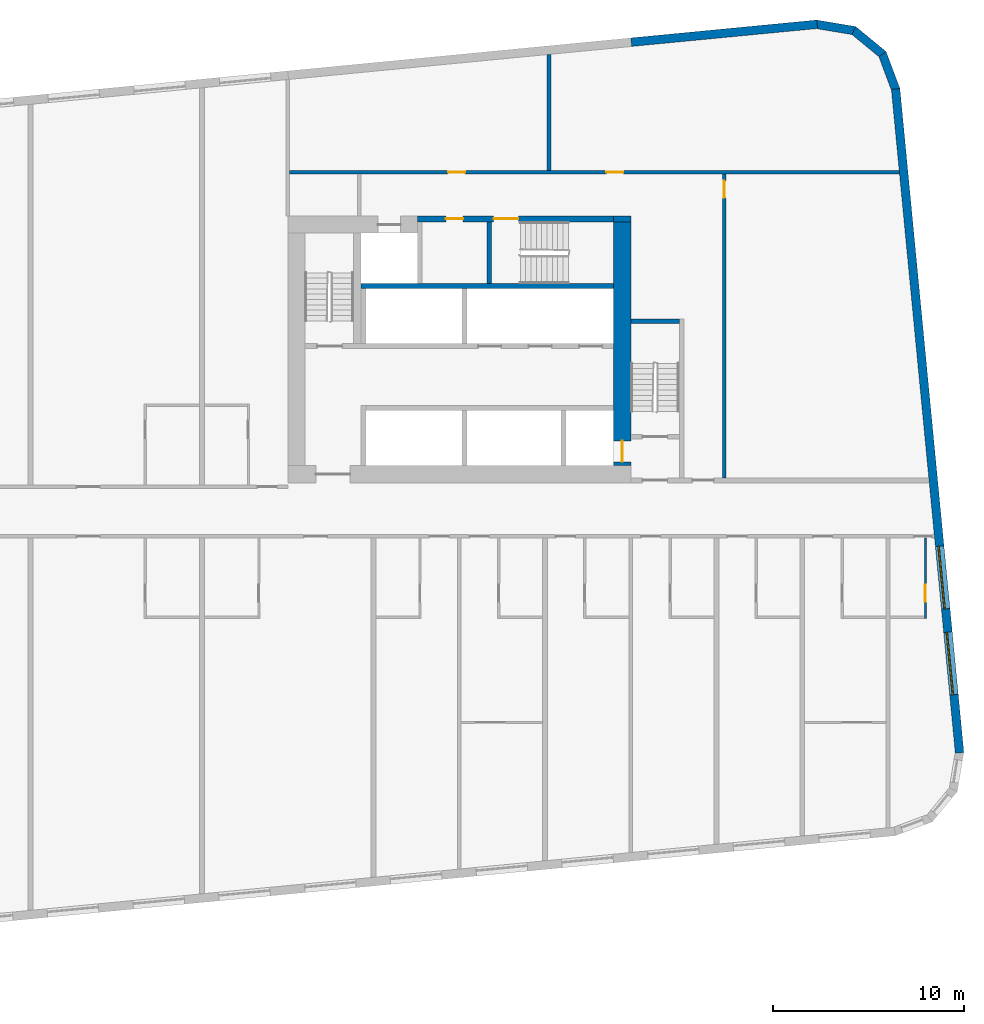
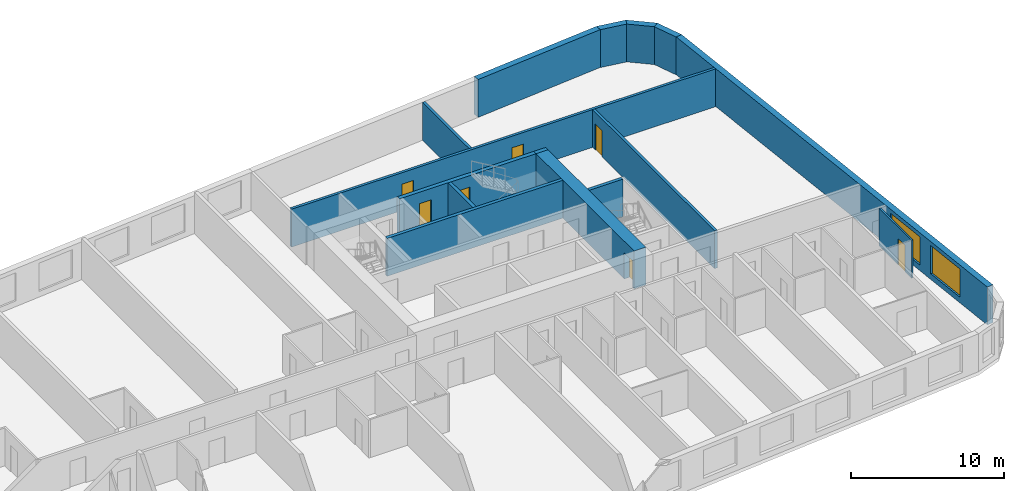
# One storey, part 8 of 12: 15 walls, 7 doors, 2 windows, 9 openings.
"""IFC4 building model written with IfcOpenShell, lengths in metres."""

from ifc_helpers import new_model, si_unit, direction, frame, frame_2d, origin, place, context, subcontext, project, spatial, polyline, rectangle, outline, extrude, material, layer, layer_set, type_object, element, fill, save


model = new_model("IFC4")

# Units and contexts
model_context = context("Model", 3, precision=1e-05, world=origin(), true_north=direction((0.0, 1.0)))
body_context = subcontext(model_context, "Body", "Model", "MODEL_VIEW")
ifc_project = project(units=[si_unit("LENGTHUNIT", "METRE"), si_unit("AREAUNIT", "SQUARE_METRE"), si_unit("VOLUMEUNIT", "CUBIC_METRE"), si_unit("PLANEANGLEUNIT", "RADIAN"), si_unit("MASSUNIT", "GRAM", prefix="KILO")], contexts=[model_context])

# Site, building, storey
site_placement = place(None, origin())
site = spatial("IfcSite", under=ifc_project, at=site_placement, CompositionType="ELEMENT")
building_placement = place(site_placement, origin())
building = spatial("IfcBuilding", under=site, at=building_placement, Name="Kajstack Hotel Tower", CompositionType="ELEMENT")
storey_placement = place(building_placement, frame((0.0, 0.0, 127.300048828125)))
storey = spatial("IfcBuildingStorey", under=building, at=storey_placement, Name="L28", CompositionType="ELEMENT", Elevation=127.300048828125)

# Wall
ifc_material_1 = material(Name="Concrete C60/75", Category="concrete")
ifc_layer_1 = layer(ifc_material_1, 0.89990234375)
ifc_layer_set_1 = layer_set([ifc_layer_1], Name="Core wall 900")
wall_type_1 = type_object("IfcWallType", Name="Core wall 900", PredefinedType="SHEAR", material=ifc_layer_set_1)
wall_1_placement = place(storey_placement, frame((30.60009765625, 15.35009765625, 0.0), z_axis=(0.0, 0.0, 1.0), x_axis=(1.0, 0.0, 0.0)))
element("IfcWall", 1, at=wall_1_placement, inside=storey, type_object=wall_type_1, Name="Core wall E RSW", PredefinedType="SHEAR", context=body_context, shape_type="SweptSolid", body=[
    extrude(rectangle(XDim=0.89990234375, YDim=0.300048828125, at=frame_2d((0.449951171875, 0.0))), origin(), (0.0, 0.0, 1.0), 3.02001953125),
])

# Wall, opening, door
wall_2_placement = place(storey_placement, frame((31.050048828125, 2.39990234375, 0.0), z_axis=(0.0, 0.0, 1.0), x_axis=(0.0, 1.0, 0.0)))
wall_2 = element("IfcWall", 2, at=wall_2_placement, inside=storey, type_object=wall_type_1, Name="Core wall E RW", PredefinedType="SHEAR", context=body_context, shape_type="SweptSolid", body=[
    extrude(rectangle(XDim=12.800048828125, YDim=0.89990234375, at=frame_2d((6.39990234375, 0.0))), origin(), (0.0, 0.0, 1.0), 3.02001953125),
])
opening_1_placement = place(wall_2_placement, frame((0.199951171875, 0.0, 0.0)))
opening_1 = element("IfcOpeningElement", 3, at=opening_1_placement, cuts=wall_2, Name="Opening LD-FF2", PredefinedType="OPENING", context=body_context, shape_type="SweptSolid", body=[
    extrude(rectangle(XDim=1.10009765625, YDim=2.10009765625, at=frame_2d((0.550048828125, 1.050048828125))), frame((0.0, 0.4599609375, 0.0), z_axis=(0.0, -1.0, 0.0), x_axis=(1.0, 0.0, 0.0)), (0.0, 0.0, 1.0), 0.919921875),
])
ifc_material_2 = material(Name="Stainless steel", Category="steel")
door_type_1 = type_object("IfcDoorType", Name="Fire-fighting lift landing door 1100", OperationType="SLIDING_TO_LEFT", PredefinedType="DOOR", material=ifc_material_2)
door_1_placement = place(opening_1_placement, origin())
door_1 = element("IfcDoor", 4, at=door_1_placement, inside=storey, type_object=door_type_1, Name="Landing door FF2", OperationType="SLIDING_TO_LEFT", OverallHeight=2.10009765625, OverallWidth=1.10009765625, PredefinedType="DOOR", context=body_context, shape_type="SweptSolid", body=[
    extrude(rectangle(XDim=1.10009765625, YDim=2.10009765625, at=frame_2d((0.550048828125, 1.050048828125))), frame((0.0, 0.02490234375, 0.0), z_axis=(0.0, -1.0, 0.0), x_axis=(1.0, 0.0, 0.0)), (0.0, 0.0, 1.0), 0.050048828125),
])
fill(opening_1, door_1)

# Wall, openings, windows
ifc_material_3 = material(Name="Terracotta-faced brick masonry", Category="masonry")
ifc_layer_2 = layer(ifc_material_3, 0.449951171875)
ifc_layer_set_2 = layer_set([ifc_layer_2], Name="EW-TERRA")
wall_type_2 = type_object("IfcWallType", Name="EW-TERRA", PredefinedType="SOLIDWALL", material=ifc_layer_set_2)
wall_3_placement = place(storey_placement, frame((48.7529296875, -12.671630859375, 0.0), z_axis=(0.0, 0.0, 1.0), x_axis=(-0.095842661909, 0.995396495954, 0.0)))
wall_3 = element("IfcWall", 5, at=wall_3_placement, inside=storey, type_object=wall_type_2, Name="E-wall-L28-08-00", PredefinedType="SOLIDWALL", context=body_context, shape_type="SweptSolid", body=[
    extrude(rectangle(XDim=35.0, YDim=0.449951171875, at=frame_2d((17.5, 0.0))), origin(), (0.0, 0.0, 1.0), 3.02001953125),
])
opening_2_placement = place(wall_3_placement, frame((3.07177734375, 0.0, 0.449951171875)))
opening_2 = element("IfcOpeningElement", 6, at=opening_2_placement, cuts=wall_3, Name="Opening W2", PredefinedType="OPENING", context=body_context, shape_type="SweptSolid", body=[
    extrude(rectangle(XDim=3.300048828125, YDim=2.25, at=frame_2d((1.64990234375, 1.125))), frame((0.0, 0.23486328125, 0.0), z_axis=(0.0, -1.0, 0.0), x_axis=(1.0, 0.0, 0.0)), (0.0, 0.0, 1.0), 0.469970703125),
])
opening_3_placement = place(wall_3_placement, frame((7.592529296875, 0.0, 0.449951171875)))
opening_3 = element("IfcOpeningElement", 7, at=opening_3_placement, cuts=wall_3, Name="Opening W2", PredefinedType="OPENING", context=body_context, shape_type="SweptSolid", body=[
    extrude(rectangle(XDim=3.300048828125, YDim=2.25, at=frame_2d((1.64990234375, 1.125))), frame((0.0, 0.23486328125, 0.0), z_axis=(0.0, -1.0, 0.0), x_axis=(1.0, 0.0, 0.0)), (0.0, 0.0, 1.0), 0.469970703125),
])
ifc_material_4 = material(Name="Timber-aluminium window, triple glazed", Category="wood")
window_type = type_object("IfcWindowType", Name="WG2", PartitioningType="SINGLE_PANEL", PredefinedType="WINDOW", material=ifc_material_4)
window_1_placement = place(opening_2_placement, origin())
window_1 = element("IfcWindow", 8, at=window_1_placement, inside=storey, type_object=window_type, Name="Window W2 L28-08", OverallHeight=2.25, OverallWidth=3.300048828125, PartitioningType="SINGLE_PANEL", PredefinedType="WINDOW", context=body_context, shape_type="SweptSolid", body=[
    extrude(rectangle(XDim=3.300048828125, YDim=2.25, at=frame_2d((1.64990234375, 1.125))), frame((0.0, 0.090087890625, 0.0), z_axis=(0.0, -1.0, 0.0), x_axis=(1.0, 0.0, 0.0)), (0.0, 0.0, 1.0), 0.06005859375),
])
fill(opening_2, window_1)
window_2_placement = place(opening_3_placement, origin())
window_2 = element("IfcWindow", 9, at=window_2_placement, inside=storey, type_object=window_type, Name="Window W2 L28-08", OverallHeight=2.25, OverallWidth=3.300048828125, PartitioningType="SINGLE_PANEL", PredefinedType="WINDOW", context=body_context, shape_type="SweptSolid", body=[
    extrude(rectangle(XDim=3.300048828125, YDim=2.25, at=frame_2d((1.64990234375, 1.125))), frame((0.0, 0.090087890625, 0.0), z_axis=(0.0, -1.0, 0.0), x_axis=(1.0, 0.0, 0.0)), (0.0, 0.0, 1.0), 0.06005859375),
])
fill(opening_3, window_2)

# Walls
wall_4_placement = place(storey_placement, frame((45.41162109375, 22.10986328125, 0.0), z_axis=(0.0, 0.0, 1.0), x_axis=(-0.350192909346, 0.936677599948, 0.0)))
element("IfcWall", 10, at=wall_4_placement, inside=storey, type_object=wall_type_2, Name="E-wall-L28-09-00", PredefinedType="SOLIDWALL", context=body_context, shape_type="SweptSolid", body=[
    extrude(outline(polyline([(0.0, -0.22509765625), (2.070556640625, -0.22509765625), (1.949951171875, 0.224853515625), (0.12060546875, 0.224853515625), (0.0, -0.22509765625)])), origin(), (0.0, 0.0, 1.0), 3.02001953125),
])
wall_5_placement = place(storey_placement, frame((44.754150390625, 23.95458984375, 0.0), z_axis=(0.0, 0.0, 1.0), x_axis=(-0.771651049663, 0.636046112757, 0.0)))
element("IfcWall", 11, at=wall_5_placement, inside=storey, type_object=wall_type_2, Name="E-wall-L28-10-00", PredefinedType="SOLIDWALL", context=body_context, shape_type="SweptSolid", body=[
    extrude(outline(polyline([(0.0, -0.22509765625), (2.070556640625, -0.22509765625), (1.949951171875, 0.224853515625), (0.12060546875, 0.22509765625), (0.0, -0.22509765625)])), origin(), (0.0, 0.0, 1.0), 3.02001953125),
])
wall_6_placement = place(storey_placement, frame((43.262451171875, 25.223388671875, 0.0), z_axis=(0.0, 0.0, 1.0), x_axis=(-0.986298144721, 0.164972633245, 0.0)))
element("IfcWall", 12, at=wall_6_placement, inside=storey, type_object=wall_type_2, Name="E-wall-L28-11-00", PredefinedType="SOLIDWALL", context=body_context, shape_type="SweptSolid", body=[
    extrude(outline(polyline([(0.0, -0.224853515625), (2.070556640625, -0.22509765625), (1.949951171875, 0.22509765625), (0.12060546875, 0.22509765625), (0.0, -0.224853515625)])), origin(), (0.0, 0.0, 1.0), 3.02001953125),
])
wall_7_placement = place(storey_placement, frame((41.279052734375, 25.56298828125, 0.0), z_axis=(0.0, 0.0, 1.0), x_axis=(-0.995394735506, -0.095860943703, 0.0)))
element("IfcWall", 13, at=wall_7_placement, inside=storey, type_object=wall_type_2, Name="E-wall-L28-12-00", PredefinedType="SOLIDWALL", context=body_context, shape_type="SweptSolid", body=[
    extrude(rectangle(XDim=9.802734375, YDim=0.449951171875, at=frame_2d((4.9013671875, 0.0))), origin(), (0.0, 0.0, 1.0), 3.02001953125),
])

# Wall, opening, door
ifc_material_5 = material(Name="Gypsum board and tiled backer on steel studs", Category="steel")
ifc_layer_3 = layer(ifc_material_5, 0.125)
ifc_layer_set_3 = layer_set([ifc_layer_3], Name="En-suite wall 125")
wall_type_3 = type_object("IfcWallType", Name="En-suite wall 125", PredefinedType="PARTITIONING", material=ifc_layer_set_3)
wall_8_placement = place(storey_placement, frame((46.9619140625, -5.625, 0.0), z_axis=(0.0, 0.0, 1.0), x_axis=(0.0, 1.0, 0.0)))
wall_8 = element("IfcWall", 14, at=wall_8_placement, inside=storey, type_object=wall_type_3, Name="G-wall-L28-052", PredefinedType="PARTITIONING", context=body_context, shape_type="SweptSolid", body=[
    extrude(rectangle(XDim=4.22509765625, YDim=0.125, at=frame_2d((2.112548828125, 0.0))), origin(), (0.0, 0.0, 1.0), 3.02001953125),
])
opening_4_placement = place(wall_8_placement, frame((0.875, 0.0, 0.0)))
opening_4 = element("IfcOpeningElement", 15, at=opening_4_placement, cuts=wall_8, Name="Opening 28044", PredefinedType="OPENING", context=body_context, shape_type="SweptSolid", body=[
    extrude(rectangle(XDim=0.89990234375, YDim=2.10009765625, at=frame_2d((0.449951171875, 1.050048828125))), frame((0.0, 0.072509765625, 0.0), z_axis=(0.0, -1.0, 0.0), x_axis=(1.0, 0.0, 0.0)), (0.0, 0.0, 1.0), 0.14501953125),
])
ifc_material_6 = material(Name="Painted timber door leaf", Category="wood")
door_type_2 = type_object("IfcDoorType", Name="Room door 900", OperationType="SINGLE_SWING_LEFT", PredefinedType="DOOR", material=ifc_material_6)
door_2_placement = place(opening_4_placement, origin())
door_2 = element("IfcDoor", 16, at=door_2_placement, inside=storey, type_object=door_type_2, Name="G-door-L28-44", OperationType="SINGLE_SWING_LEFT", OverallHeight=2.10009765625, OverallWidth=0.89990234375, PredefinedType="DOOR", context=body_context, shape_type="SweptSolid", body=[
    extrude(rectangle(XDim=0.89990234375, YDim=2.10009765625, at=frame_2d((0.449951171875, 1.050048828125))), frame((0.0, 0.02490234375, 0.0), z_axis=(0.0, -1.0, 0.0), x_axis=(1.0, 0.0, 0.0)), (0.0, 0.0, 1.0), 0.050048828125),
])
fill(opening_4, door_2)

ifc_material_7 = material(Name="Gypsum board on steel studs, mineral wool", Category="steel")
ifc_layer_4 = layer(ifc_material_7, 0.199951171875)
ifc_layer_set_4 = layer_set([ifc_layer_4], Name="Service partition 200")
wall_type_4 = type_object("IfcWallType", Name="Service partition 200", PredefinedType="PARTITIONING", material=ifc_layer_set_4)
wall_9_placement = place(storey_placement, frame((36.39990234375, 1.75, 0.0), z_axis=(0.0, 0.0, 1.0), x_axis=(0.0, 1.0, 0.0)))
wall_9 = element("IfcWall", 17, at=wall_9_placement, inside=storey, type_object=wall_type_4, Name="Partition E WRE", PredefinedType="PARTITIONING", context=body_context, shape_type="SweptSolid", body=[
    extrude(rectangle(XDim=15.949951171875, YDim=0.199951171875, at=frame_2d((7.97509765625, 0.0))), origin(), (0.0, 0.0, 1.0), 3.02001953125),
])
opening_5_placement = place(wall_9_placement, frame((14.699951171875, 0.0, 0.0)))
opening_5 = element("IfcOpeningElement", 18, at=opening_5_placement, cuts=wall_9, Name="Opening 28E15", PredefinedType="OPENING", context=body_context, shape_type="SweptSolid", body=[
    extrude(rectangle(XDim=0.89990234375, YDim=2.10009765625, at=frame_2d((0.449951171875, 1.050048828125))), frame((0.0, 0.10986328125, 0.0), z_axis=(0.0, -1.0, 0.0), x_axis=(1.0, 0.0, 0.0)), (0.0, 0.0, 1.0), 0.219970703125),
])
ifc_material_8 = material(Name="Timber leaf, fire-rated", Category="wood")
door_type_3 = type_object("IfcDoorType", Name="Service door 900", OperationType="SINGLE_SWING_LEFT", PredefinedType="DOOR", material=ifc_material_8)
door_3_placement = place(opening_5_placement, origin())
door_3 = element("IfcDoor", 19, at=door_3_placement, inside=storey, type_object=door_type_3, Name="Door 28E15", OperationType="SINGLE_SWING_RIGHT", OverallHeight=2.10009765625, OverallWidth=0.89990234375, PredefinedType="DOOR", context=body_context, shape_type="SweptSolid", body=[
    extrude(rectangle(XDim=0.89990234375, YDim=2.10009765625, at=frame_2d((0.449951171875, 1.050048828125))), frame((0.0, 0.02490234375, 0.0), z_axis=(0.0, -1.0, 0.0), x_axis=(1.0, 0.0, 0.0)), (0.0, 0.0, 1.0), 0.050048828125),
])
fill(opening_5, door_3)

# Wall, openings, doors
wall_10_placement = place(storey_placement, frame((13.60009765625, 17.800048828125, 0.0), z_axis=(0.0, 0.0, 1.0), x_axis=(1.0, 0.0, 0.0)))
wall_10 = element("IfcWall", 20, at=wall_10_placement, inside=storey, type_object=wall_type_4, Name="Partition E SLN", PredefinedType="PARTITIONING", context=body_context, shape_type="SweptSolid", body=[
    extrude(rectangle(XDim=31.992919921875, YDim=0.199951171875, at=frame_2d((15.99658203125, 0.0))), origin(), (0.0, 0.0, 1.0), 3.02001953125),
])
opening_6_placement = place(wall_10_placement, frame((16.612548828125, 0.0, 0.0)))
opening_6 = element("IfcOpeningElement", 21, at=opening_6_placement, cuts=wall_10, Name="Opening 28E13", PredefinedType="OPENING", context=body_context, shape_type="SweptSolid", body=[
    extrude(rectangle(XDim=0.89990234375, YDim=2.10009765625, at=frame_2d((0.449951171875, 1.050048828125))), frame((0.0, 0.10986328125, 0.0), z_axis=(0.0, -1.0, 0.0), x_axis=(1.0, 0.0, 0.0)), (0.0, 0.0, 1.0), 0.219970703125),
])
opening_7_placement = place(wall_10_placement, frame((8.3125, 0.0, 0.0)))
opening_7 = element("IfcOpeningElement", 22, at=opening_7_placement, cuts=wall_10, Name="Opening 28E14", PredefinedType="OPENING", context=body_context, shape_type="SweptSolid", body=[
    extrude(rectangle(XDim=0.89990234375, YDim=2.10009765625, at=frame_2d((0.449951171875, 1.050048828125))), frame((0.0, 0.10986328125, 0.0), z_axis=(0.0, -1.0, 0.0), x_axis=(1.0, 0.0, 0.0)), (0.0, 0.0, 1.0), 0.219970703125),
])
door_4_placement = place(opening_6_placement, origin())
door_4 = element("IfcDoor", 23, at=door_4_placement, inside=storey, type_object=door_type_3, Name="Door 28E13", OperationType="SINGLE_SWING_LEFT", OverallHeight=2.10009765625, OverallWidth=0.89990234375, PredefinedType="DOOR", context=body_context, shape_type="SweptSolid", body=[
    extrude(rectangle(XDim=0.89990234375, YDim=2.10009765625, at=frame_2d((0.449951171875, 1.050048828125))), frame((0.0, 0.02490234375, 0.0), z_axis=(0.0, -1.0, 0.0), x_axis=(1.0, 0.0, 0.0)), (0.0, 0.0, 1.0), 0.050048828125),
])
fill(opening_6, door_4)
door_5_placement = place(opening_7_placement, origin())
door_5 = element("IfcDoor", 24, at=door_5_placement, inside=storey, type_object=door_type_3, Name="Door 28E14", OperationType="SINGLE_SWING_LEFT", OverallHeight=2.10009765625, OverallWidth=0.89990234375, PredefinedType="DOOR", context=body_context, shape_type="SweptSolid", body=[
    extrude(rectangle(XDim=0.89990234375, YDim=2.10009765625, at=frame_2d((0.449951171875, 1.050048828125))), frame((0.0, 0.02490234375, 0.0), z_axis=(0.0, -1.0, 0.0), x_axis=(1.0, 0.0, 0.0)), (0.0, 0.0, 1.0), 0.050048828125),
])
fill(opening_7, door_5)

# Wall
wall_11_placement = place(storey_placement, frame((27.199951171875, 17.89990234375, 0.0), z_axis=(0.0, 0.0, 1.0), x_axis=(0.0, 1.0, 0.0)))
element("IfcWall", 25, at=wall_11_placement, inside=storey, type_object=wall_type_4, Name="Partition E SLP0", PredefinedType="PARTITIONING", context=body_context, shape_type="SweptSolid", body=[
    extrude(rectangle(XDim=6.082275390625, YDim=0.199951171875, at=frame_2d((3.041015625, 0.0))), origin(), (0.0, 0.0, 1.0), 3.02001953125),
])

# Wall, openings, doors
ifc_material_9 = material(Name="Concrete C50/60", Category="concrete")
ifc_layer_5 = layer(ifc_material_9, 0.25)
ifc_layer_set_5 = layer_set([ifc_layer_5], Name="Shaft wall 250")
wall_type_5 = type_object("IfcWallType", Name="Shaft wall 250", PredefinedType="SHEAR", material=ifc_layer_set_5)
wall_12_placement = place(storey_placement, frame((20.300048828125, 15.35009765625, 0.0), z_axis=(0.0, 0.0, 1.0), x_axis=(1.0, 0.0, 0.0)))
wall_12 = element("IfcWall", 26, at=wall_12_placement, inside=storey, type_object=wall_type_5, Name="Core wall E RSS", PredefinedType="SHEAR", context=body_context, shape_type="SweptSolid", body=[
    extrude(rectangle(XDim=10.300048828125, YDim=0.300048828125, at=frame_2d((5.14990234375, 0.0))), origin(), (0.0, 0.0, 1.0), 3.02001953125),
])
opening_8_placement = place(wall_12_placement, frame((4.0, 0.0, 0.0)))
opening_8 = element("IfcOpeningElement", 27, at=opening_8_placement, cuts=wall_12, Name="Opening 28E11", PredefinedType="OPENING", context=body_context, shape_type="SweptSolid", body=[
    extrude(rectangle(XDim=1.300048828125, YDim=2.10009765625, at=frame_2d((0.64990234375, 1.050048828125))), frame((0.0, 0.159912109375, 0.0), z_axis=(0.0, -1.0, 0.0), x_axis=(1.0, 0.0, 0.0)), (0.0, 0.0, 1.0), 0.320068359375),
])
opening_9_placement = place(wall_12_placement, frame((1.5, 0.0, 0.0)))
opening_9 = element("IfcOpeningElement", 28, at=opening_9_placement, cuts=wall_12, Name="Opening 28E12", PredefinedType="OPENING", context=body_context, shape_type="SweptSolid", body=[
    extrude(rectangle(XDim=0.89990234375, YDim=2.10009765625, at=frame_2d((0.449951171875, 1.050048828125))), frame((0.0, 0.159912109375, 0.0), z_axis=(0.0, -1.0, 0.0), x_axis=(1.0, 0.0, 0.0)), (0.0, 0.0, 1.0), 0.320068359375),
])
door_6_placement = place(opening_9_placement, origin())
door_6 = element("IfcDoor", 29, at=door_6_placement, inside=storey, type_object=door_type_3, Name="Door 28E12", OperationType="SINGLE_SWING_RIGHT", OverallHeight=2.10009765625, OverallWidth=0.89990234375, PredefinedType="DOOR", context=body_context, shape_type="SweptSolid", body=[
    extrude(rectangle(XDim=0.89990234375, YDim=2.10009765625, at=frame_2d((0.449951171875, 1.050048828125))), frame((0.0, 0.02490234375, 0.0), z_axis=(0.0, -1.0, 0.0), x_axis=(1.0, 0.0, 0.0)), (0.0, 0.0, 1.0), 0.050048828125),
])
fill(opening_9, door_6)
ifc_material_10 = material(Name="Steel leaf, fire-rated", Category="steel")
door_type_4 = type_object("IfcDoorType", Name="Stair door 1300", OperationType="SINGLE_SWING_LEFT", PredefinedType="DOOR", material=ifc_material_10)
door_7_placement = place(opening_8_placement, origin())
door_7 = element("IfcDoor", 30, at=door_7_placement, inside=storey, type_object=door_type_4, Name="Door 28E11", OperationType="SINGLE_SWING_LEFT", OverallHeight=2.10009765625, OverallWidth=1.300048828125, PredefinedType="DOOR", context=body_context, shape_type="SweptSolid", body=[
    extrude(rectangle(XDim=1.300048828125, YDim=2.10009765625, at=frame_2d((0.64990234375, 1.050048828125))), frame((0.0, 0.02490234375, 0.0), z_axis=(0.0, -1.0, 0.0), x_axis=(1.0, 0.0, 0.0)), (0.0, 0.0, 1.0), 0.050048828125),
])
fill(opening_8, door_7)

# Walls
wall_13_placement = place(storey_placement, frame((17.35009765625, 11.824951171875, 0.0), z_axis=(0.0, 0.0, 1.0), x_axis=(1.0, 0.0, 0.0)))
element("IfcWall", 31, at=wall_13_placement, inside=storey, type_object=wall_type_5, Name="Core wall E RB", PredefinedType="SHEAR", context=body_context, shape_type="SweptSolid", body=[
    extrude(rectangle(XDim=13.25, YDim=0.25, at=frame_2d((6.625, 0.0))), origin(), (0.0, 0.0, 1.0), 3.02001953125),
])
ifc_material_11 = material(Name="Concrete C40/50", Category="concrete")
ifc_layer_6 = layer(ifc_material_11, 0.25)
ifc_layer_set_6 = layer_set([ifc_layer_6], Name="Stair enclosure wall 250")
wall_type_6 = type_object("IfcWallType", Name="Stair enclosure wall 250", PredefinedType="SHEAR", material=ifc_layer_set_6)
wall_14_placement = place(storey_placement, frame((31.5, 9.97509765625, 0.0), z_axis=(0.0, 0.0, 1.0), x_axis=(1.0, 0.0, 0.0)))
element("IfcWall", 32, at=wall_14_placement, inside=storey, type_object=wall_type_6, Name="Core wall E W1S", PredefinedType="SHEAR", context=body_context, shape_type="SweptSolid", body=[
    extrude(rectangle(XDim=2.550048828125, YDim=0.25, at=frame_2d((1.27490234375, 0.0))), origin(), (0.0, 0.0, 1.0), 3.02001953125),
])
ifc_layer_7 = layer(ifc_material_9, 0.35009765625)
ifc_layer_set_7 = layer_set([ifc_layer_7], Name="Stair enclosure wall 350")
wall_type_7 = type_object("IfcWallType", Name="Stair enclosure wall 350", PredefinedType="SHEAR", material=ifc_layer_set_7)
wall_15_placement = place(storey_placement, frame((24.074951171875, 11.949951171875, 0.0), z_axis=(0.0, 0.0, 1.0), x_axis=(0.0, 1.0, 0.0)))
element("IfcWall", 33, at=wall_15_placement, inside=storey, type_object=wall_type_7, Name="Core wall E W3E", PredefinedType="SHEAR", context=body_context, shape_type="SweptSolid", body=[
    extrude(rectangle(XDim=3.25, YDim=0.25, at=frame_2d((1.625, 0.0))), origin(), (0.0, 0.0, 1.0), 3.02001953125),
])

save(model, "model.ifc")
